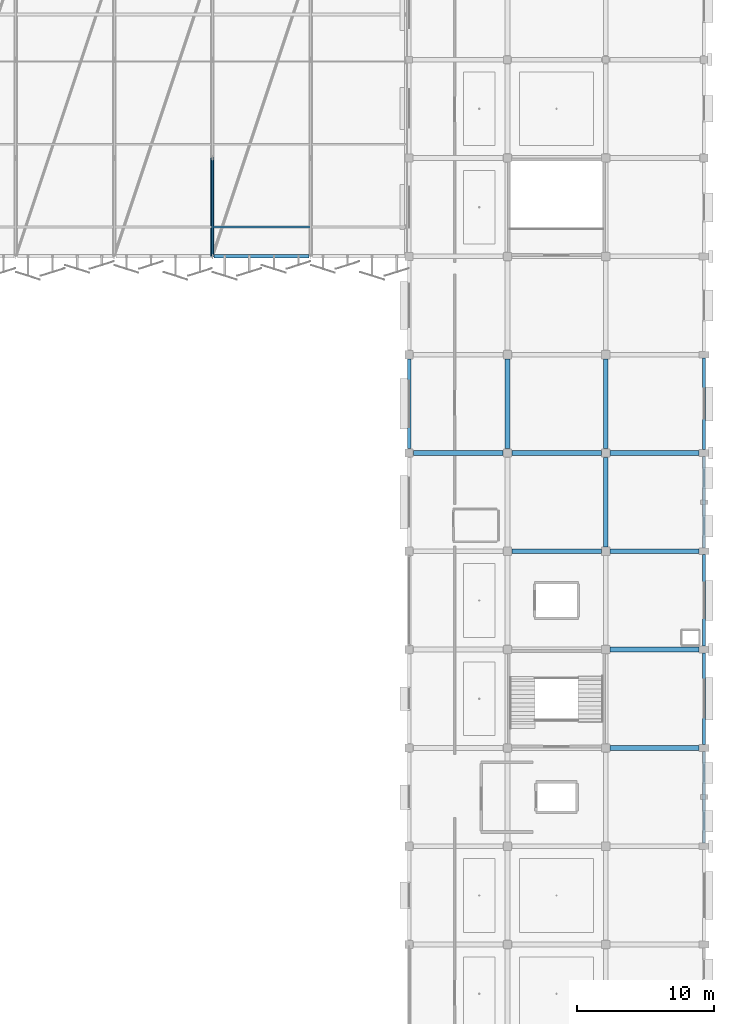
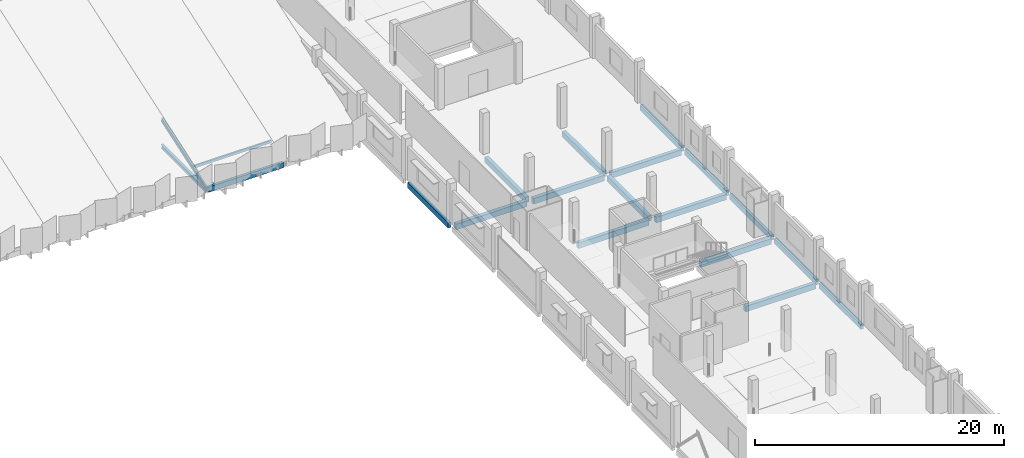
# One storey, part 21 of 59: 17 beams, 4 members.
"""IFC4 building model written with IfcOpenShell, lengths in metres."""

from ifc_helpers import new_model, si_unit, direction, frame, origin, origin_2d, place, context, subcontext, project, spatial, rectangle, hollow_rectangle, i_section, extrude, material, material_profile, profile_set, type_object, element, save


model = new_model("IFC4")

# Units and contexts
model_context = context("Model", 3, precision=1e-05, world=origin(), true_north=direction((0.0, 1.0)))
body_context = subcontext(model_context, "Body", "Model", "MODEL_VIEW")
ifc_project = project(units=[si_unit("LENGTHUNIT", "METRE"), si_unit("AREAUNIT", "SQUARE_METRE"), si_unit("VOLUMEUNIT", "CUBIC_METRE"), si_unit("PLANEANGLEUNIT", "RADIAN"), si_unit("MASSUNIT", "GRAM", prefix="KILO")], contexts=[model_context])

# Site, building, storey
site_placement = place(None, origin())
site = spatial("IfcSite", under=ifc_project, at=site_placement, CompositionType="ELEMENT")
building_placement = place(site_placement, origin())
building = spatial("IfcBuilding", under=site, at=building_placement, Name="Kangsadwip Square Police Headquarters", CompositionType="ELEMENT")
storey_placement = place(building_placement, frame((0.0, 0.0, 21.60009765625)))
storey = spatial("IfcBuildingStorey", under=building, at=storey_placement, Name="L05", CompositionType="ELEMENT", Elevation=21.60009765625)

# Beams
ifc_material_1 = material(Name="Concrete M35 (35 MPa)", Category="concrete")
ifc_material_profile_1 = material_profile(ifc_material_1, rectangle(XDim=0.35009765625, YDim=0.550048828125, at=origin_2d()), Name="RC BM 550X350")
ifc_profile_set_1 = profile_set([ifc_material_profile_1], Name="Concrete M35 (35 MPa)")
beam_type_1 = type_object("IfcBeamType", Name="RcBeam550x350", PredefinedType="BEAM", material=ifc_profile_set_1)
for number, where, z_axis, x_axis, name in (
    (1, (158.72509765625, 57.60009765625, -0.4951171875), (1.0, 0.0, 0.0), (0.0, 1.0, 0.0), "Beam BM-L05-X-22-08"),
    (2, (158.72509765625, 64.800048828125, -0.4951171875), (1.0, 0.0, 0.0), (0.0, 1.0, 0.0), "Beam BM-L05-X-22-09"),
):
    element("IfcBeam", number, at=place(storey_placement, frame(where, z_axis=z_axis, x_axis=x_axis)), inside=storey, type_object=beam_type_1, Name=name, PredefinedType="BEAM", context=body_context, shape_type="SweptSolid", body=[
        extrude(rectangle(XDim=0.35009765625, YDim=0.550048828125, at=origin_2d()), origin(), (0.0, 0.0, 1.0), 6.52490234375),
    ])
beam_1_placement = place(storey_placement, frame((151.52490234375, 72.0, -0.4951171875), z_axis=(1.0, 0.0, 0.0), x_axis=(0.0, 1.0, 0.0)))
element("IfcBeam", 3, at=beam_1_placement, inside=storey, type_object=beam_type_1, Name="Beam BM-L05-X-21-10", PredefinedType="BEAM", context=body_context, shape_type="SweptSolid", body=[
    extrude(rectangle(XDim=0.35009765625, YDim=0.550048828125, at=origin_2d()), origin(), (0.0, 0.0, 1.0), 6.550048828125),
])
beam_2_placement = place(storey_placement, frame((158.72509765625, 72.0, -0.4951171875), z_axis=(1.0, 0.0, 0.0), x_axis=(0.0, 1.0, 0.0)))
element("IfcBeam", 4, at=beam_2_placement, inside=storey, type_object=beam_type_1, Name="Beam BM-L05-X-22-10", PredefinedType="BEAM", context=body_context, shape_type="SweptSolid", body=[
    extrude(rectangle(XDim=0.35009765625, YDim=0.550048828125, at=origin_2d()), origin(), (0.0, 0.0, 1.0), 6.52490234375),
])
for number, where, z_axis, x_axis, name in (
    (5, (144.324951171875, 79.199951171875, -0.4951171875), (1.0, 0.0, 0.0), (0.0, 1.0, 0.0), "Beam BM-L05-X-20-11"),
    (6, (151.52490234375, 79.199951171875, -0.4951171875), (1.0, 0.0, 0.0), (0.0, 1.0, 0.0), "Beam BM-L05-X-21-11"),
):
    element("IfcBeam", number, at=place(storey_placement, frame(where, z_axis=z_axis, x_axis=x_axis)), inside=storey, type_object=beam_type_1, Name=name, PredefinedType="BEAM", context=body_context, shape_type="SweptSolid", body=[
        extrude(rectangle(XDim=0.35009765625, YDim=0.550048828125, at=origin_2d()), origin(), (0.0, 0.0, 1.0), 6.550048828125),
    ])
beam_3_placement = place(storey_placement, frame((158.72509765625, 79.199951171875, -0.4951171875), z_axis=(1.0, 0.0, 0.0), x_axis=(0.0, 1.0, 0.0)))
element("IfcBeam", 7, at=beam_3_placement, inside=storey, type_object=beam_type_1, Name="Beam BM-L05-X-22-11", PredefinedType="BEAM", context=body_context, shape_type="SweptSolid", body=[
    extrude(rectangle(XDim=0.35009765625, YDim=0.550048828125, at=origin_2d()), origin(), (0.0, 0.0, 1.0), 6.52490234375),
])
for number, where, z_axis, x_axis, name in (
    (8, (151.199951171875, 79.52490234375, -0.4951171875), (0.0, 1.0, 0.0), (-1.0, 0.0, 0.0), "Beam BM-L05-Y-21-11"),
    (9, (158.39990234375, 72.324951171875, -0.4951171875), (0.0, 1.0, 0.0), (-1.0, 0.0, 0.0), "Beam BM-L05-Y-22-10"),
    (10, (158.39990234375, 79.52490234375, -0.4951171875), (0.0, 1.0, 0.0), (-1.0, 0.0, 0.0), "Beam BM-L05-Y-22-11"),
):
    element("IfcBeam", number, at=place(storey_placement, frame(where, z_axis=z_axis, x_axis=x_axis)), inside=storey, type_object=beam_type_1, Name=name, PredefinedType="BEAM", context=body_context, shape_type="SweptSolid", body=[
        extrude(rectangle(XDim=0.35009765625, YDim=0.550048828125, at=origin_2d()), origin(), (0.0, 0.0, 1.0), 6.550048828125),
    ])
ifc_material_2 = material(Name="Concrete M35 (35 MPa)", Category="concrete")
ifc_material_profile_2 = material_profile(ifc_material_2, rectangle(XDim=0.25, YDim=0.52001953125, at=origin_2d()), Name="RC SPN 520X250")
ifc_profile_set_2 = profile_set([ifc_material_profile_2], Name="Concrete M35 (35 MPa)")
beam_type_2 = type_object("IfcBeamType", Name="RcSpandrel520x250", PredefinedType="SPANDREL", material=ifc_profile_set_2)
beam_4_placement = place(storey_placement, frame((129.72509765625, 93.60009765625, -0.47998046875), z_axis=(1.0, 0.0, 0.0), x_axis=(0.0, 1.0, 0.0)))
element("IfcBeam", 11, at=beam_4_placement, inside=storey, type_object=beam_type_2, Name="Beam BM-L05-X-18-13", PredefinedType="SPANDREL", context=body_context, shape_type="SweptSolid", body=[
    extrude(rectangle(XDim=0.25, YDim=0.52001953125, at=origin_2d()), origin(), (0.0, 0.0, 1.0), 6.949951171875),
])
beam_5_placement = place(storey_placement, frame((144.0, 79.52490234375, -0.47998046875), z_axis=(0.0, 1.0, 0.0), x_axis=(-1.0, 0.0, 0.0)))
element("IfcBeam", 12, at=beam_5_placement, inside=storey, type_object=beam_type_2, Name="Beam BM-L05-Y-20-11", PredefinedType="SPANDREL", context=body_context, shape_type="SweptSolid", body=[
    extrude(rectangle(XDim=0.25, YDim=0.52001953125, at=origin_2d()), origin(), (0.0, 0.0, 1.0), 6.550048828125),
])
beam_6_placement = place(storey_placement, frame((165.60009765625, 50.64990234375, -0.47998046875), z_axis=(0.0, 1.0, 0.0), x_axis=(-1.0, 0.0, 0.0)))
element("IfcBeam", 13, at=beam_6_placement, inside=storey, type_object=beam_type_2, Name="Beam BM-L05-Y-23-07", PredefinedType="SPANDREL", context=body_context, shape_type="SweptSolid", body=[
    extrude(rectangle(XDim=0.25, YDim=0.52001953125, at=origin_2d()), origin(), (0.0, 0.0, 1.0), 6.7001953125),
])
for number, where, z_axis, x_axis, name in (
    (14, (165.60009765625, 57.85009765625, -0.47998046875), (0.0, 1.0, 0.0), (-1.0, 0.0, 0.0), "Beam BM-L05-Y-23-08"),
    (15, (165.60009765625, 65.050048828125, -0.47998046875), (0.0, 1.0, 0.0), (-1.0, 0.0, 0.0), "Beam BM-L05-Y-23-09"),
    (16, (165.60009765625, 72.25, -0.47998046875), (0.0, 1.0, 0.0), (-1.0, 0.0, 0.0), "Beam BM-L05-Y-23-10"),
    (17, (165.60009765625, 79.449951171875, -0.47998046875), (0.0, 1.0, 0.0), (-1.0, 0.0, 0.0), "Beam BM-L05-Y-23-11"),
):
    element("IfcBeam", number, at=place(storey_placement, frame(where, z_axis=z_axis, x_axis=x_axis)), inside=storey, type_object=beam_type_2, Name=name, PredefinedType="SPANDREL", context=body_context, shape_type="SweptSolid", body=[
        extrude(rectangle(XDim=0.25, YDim=0.52001953125, at=origin_2d()), origin(), (0.0, 0.0, 1.0), 6.699951171875),
    ])

# Members
ifc_material_3 = material(Name="Structural steel IS 2062 E350 (Grade 350, 350 MPa)", Category="steel")
ifc_material_profile_3 = material_profile(ifc_material_3, hollow_rectangle(XDim=0.139892578125, YDim=0.260009765625, WallThickness=0.010009765625, at=origin_2d()), Name="RHS 260X140X10")
ifc_profile_set_3 = profile_set([ifc_material_profile_3], Name="Structural steel IS 2062 E350 (Grade 350, 350 MPa)")
member_type_1 = type_object("IfcMemberType", Name="RoofPurlinRhs260", PredefinedType="PURLIN", material=ifc_profile_set_3)
member_1_placement = place(storey_placement, frame((129.60009765625, 95.760009765625, 0.429931640625), z_axis=(1.0, 0.0, 0.0), x_axis=(0.0, 1.0, 0.0)))
element("IfcMember", 18, at=member_1_placement, inside=storey, type_object=member_type_1, Name="Truss Member MEM-L05-0226", PredefinedType="PURLIN", context=body_context, shape_type="SweptSolid", body=[
    extrude(hollow_rectangle(XDim=0.139892578125, YDim=0.260009765625, WallThickness=0.010009765625, at=origin_2d()), origin(), (0.0, 0.0, 1.0), 7.199951171875),
])
ifc_material_4 = material(Name="Structural steel IS 2062 E350 (Grade 350, 350 MPa)", Category="steel")
ifc_material_profile_4 = material_profile(ifc_material_4, i_section(OverallWidth=0.139892578125, OverallDepth=0.39990234375, WebThickness=0.0087890625, FlangeThickness=0.01611328125, at=origin_2d()), Name="ISMB 400")
ifc_profile_set_4 = profile_set([ifc_material_profile_4], Name="Structural steel IS 2062 E350 (Grade 350, 350 MPa)")
member_type_2 = type_object("IfcMemberType", Name="SawtoothRafterIsmb400", PredefinedType="RAFTER", material=ifc_profile_set_4)
member_2_placement = place(storey_placement, frame((129.60009765625, 93.60009765625, -0.420166015625), z_axis=(0.0, 0.946016781172, 0.324117647993), x_axis=(-1.0, 0.0, 0.0)))
element("IfcMember", 19, at=member_2_placement, inside=storey, type_object=member_type_2, Name="Truss Member MEM-L05-0173", PredefinedType="RAFTER", context=body_context, shape_type="SweptSolid", body=[
    extrude(i_section(OverallWidth=0.139892578125, OverallDepth=0.39990234375, WebThickness=0.0087890625, FlangeThickness=0.01611328125, at=origin_2d()), origin(), (0.0, 0.0, 1.0), 7.61083984375),
])
ifc_material_5 = material(Name="Structural steel IS 2062 E350 (Grade 350, 350 MPa)", Category="steel")
ifc_material_profile_5 = material_profile(ifc_material_5, i_section(OverallWidth=0.25, OverallDepth=0.35009765625, WebThickness=0.010009765625, FlangeThickness=0.01171875, at=origin_2d()), Name="ISHB 350")
ifc_profile_set_5 = profile_set([ifc_material_profile_5], Name="Structural steel IS 2062 E350 (Grade 350, 350 MPa)")
member_type_3 = type_object("IfcMemberType", Name="TrussBotChordIshb350", PredefinedType="CHORD", material=ifc_profile_set_5)
member_3_placement = place(storey_placement, frame((129.60009765625, 93.60009765625, -0.550048828125), z_axis=(0.0, 1.0, 0.0), x_axis=(-1.0, 0.0, 0.0)))
element("IfcMember", 20, at=member_3_placement, inside=storey, type_object=member_type_3, Name="Truss Member MEM-L05-0170", PredefinedType="CHORD", context=body_context, shape_type="SweptSolid", body=[
    extrude(i_section(OverallWidth=0.25, OverallDepth=0.35009765625, WebThickness=0.010009765625, FlangeThickness=0.01171875, at=origin_2d()), origin(), (0.0, 0.0, 1.0), 7.199951171875),
])
ifc_material_6 = material(Name="Structural steel IS 2062 E350 (Grade 350, 350 MPa)", Category="steel")
ifc_material_profile_6 = material_profile(ifc_material_6, hollow_rectangle(XDim=0.10009765625, YDim=0.199951171875, WallThickness=0.008056640625, at=origin_2d()), Name="RHS 200X100X8")
ifc_profile_set_6 = profile_set([ifc_material_profile_6], Name="Structural steel IS 2062 E350 (Grade 350, 350 MPa)")
member_type_4 = type_object("IfcMemberType", Name="TrussBraceRhs200", PredefinedType="BRACE", material=ifc_profile_set_6)
member_4_placement = place(storey_placement, frame((129.60009765625, 93.60009765625, -0.550048828125), z_axis=(0.0, 0.940691667696, 0.339262709898), x_axis=(-1.0, 0.0, 0.0)))
element("IfcMember", 21, at=member_4_placement, inside=storey, type_object=member_type_4, Name="Truss Member MEM-L05-0179", PredefinedType="BRACE", context=body_context, shape_type="SweptSolid", body=[
    extrude(hollow_rectangle(XDim=0.10009765625, YDim=0.199951171875, WallThickness=0.008056640625, at=origin_2d()), origin(), (0.0, 0.0, 1.0), 7.65380859375),
])

save(model, "model.ifc")
